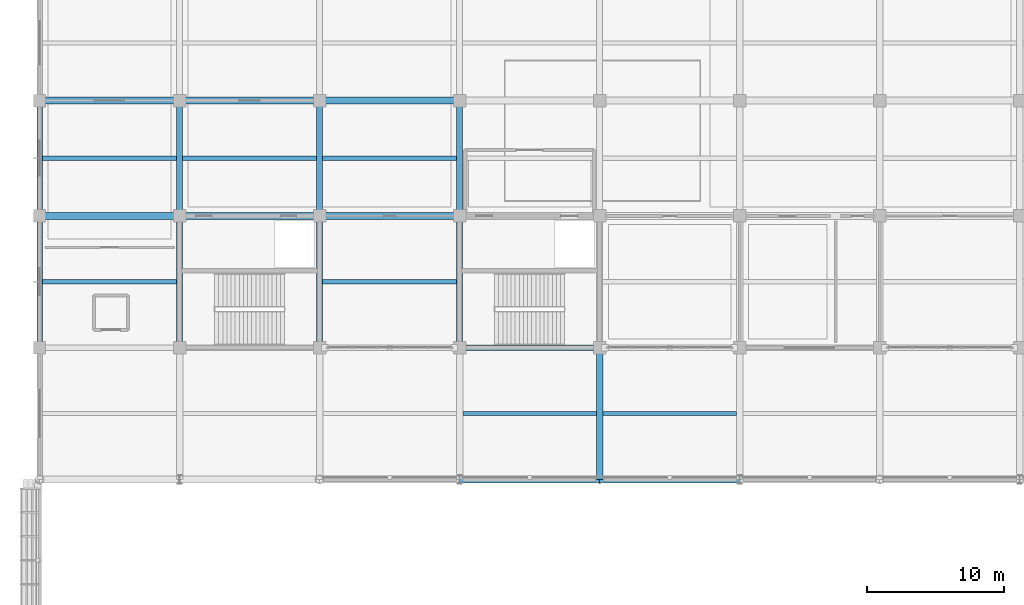
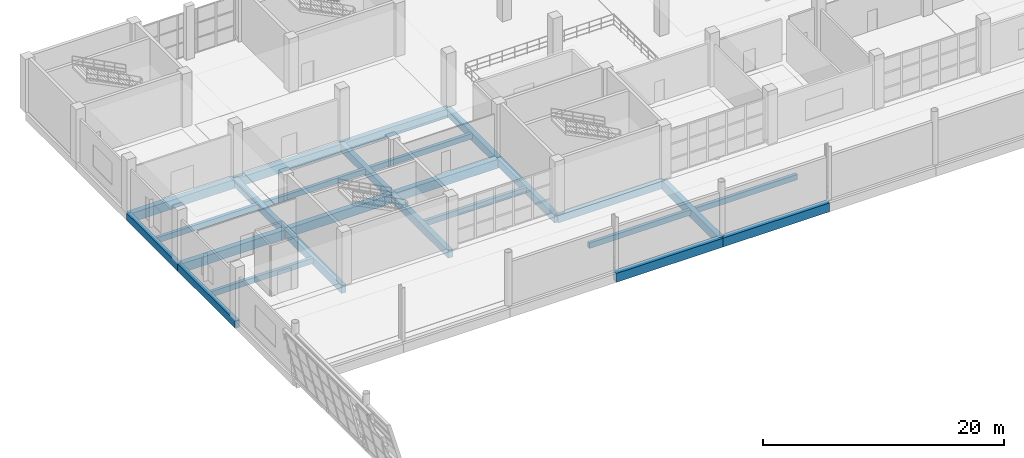
# One storey, part 35 of 175: 25 beams.
"""IFC4 building model written with IfcOpenShell, lengths in metres."""

from ifc_helpers import new_model, si_unit, direction, frame, origin, origin_2d, place, context, subcontext, project, spatial, rectangle, extrude, material, material_profile, profile_set, type_object, element, save


model = new_model("IFC4")

# Units and contexts
model_context = context("Model", 3, precision=1e-05, world=origin(), true_north=direction((0.0, 1.0)))
body_context = subcontext(model_context, "Body", "Model", "MODEL_VIEW")
ifc_project = project(units=[si_unit("LENGTHUNIT", "METRE"), si_unit("AREAUNIT", "SQUARE_METRE"), si_unit("VOLUMEUNIT", "CUBIC_METRE"), si_unit("PLANEANGLEUNIT", "RADIAN"), si_unit("MASSUNIT", "GRAM", prefix="KILO")], contexts=[model_context])

# Site, building, storey
site_placement = place(None, origin())
site = spatial("IfcSite", under=ifc_project, at=site_placement, CompositionType="ELEMENT")
building_placement = place(site_placement, origin())
building = spatial("IfcBuilding", under=site, at=building_placement, Name="Brelvane Convention Centre", CompositionType="ELEMENT")
storey_placement = place(building_placement, frame((0.0, 0.0, 5.39990234375)))
storey = spatial("IfcBuildingStorey", under=building, at=storey_placement, Name="L01", CompositionType="ELEMENT", Elevation=5.39990234375)

# Beams
ifc_material_1 = material(Name="Concrete M40", Category="concrete")
ifc_material_profile_1 = material_profile(ifc_material_1, rectangle(XDim=0.47998046875, YDim=0.8798828125, at=origin_2d()), Name="RC 480x880")
ifc_profile_set_1 = profile_set([ifc_material_profile_1], Name="Concrete M40")
beam_type_1 = type_object("IfcBeamType", Name="RC Beam B-RC10 (RC 480x880)", PredefinedType="BEAM", material=ifc_profile_set_1)
beam_1_placement = place(storey_placement, frame((40.800048828125, 99.60009765625, -0.760009765625), z_axis=(0.0, 1.0, 0.0), x_axis=(-1.0, 0.0, 0.0)))
element("IfcBeam", 1, at=beam_1_placement, inside=storey, type_object=beam_type_1, Name="L01 Girder 5/K-L", PredefinedType="BEAM", context=body_context, shape_type="SweptSolid", body=[
    extrude(rectangle(XDim=0.47998046875, YDim=0.8798828125, at=origin_2d()), origin(), (0.0, 0.0, 1.0), 9.599853515625),
])
ifc_material_2 = material(Name="Concrete M40", Category="concrete")
ifc_material_profile_2 = material_profile(ifc_material_2, rectangle(XDim=0.5, YDim=0.89990234375, at=origin_2d()), Name="RC 500x900")
ifc_profile_set_2 = profile_set([ifc_material_profile_2], Name="Concrete M40")
beam_type_2 = type_object("IfcBeamType", Name="RC Beam B-RC4 (RC 500x900)", PredefinedType="BEAM", material=ifc_profile_set_2)
for number, where, z_axis, x_axis, name in (
    (2, (0.0, 118.800048828125, -0.77001953125), (1.0, 0.0, 0.0), (0.0, 1.0, 0.0), "L01 Beam 1-2/M"),
    (3, (0.0, 127.199951171875, -0.77001953125), (1.0, 0.0, 0.0), (0.0, 1.0, 0.0), "L01 Beam 1-2/N"),
    (4, (10.199951171875, 118.800048828125, -0.77001953125), (1.0, 0.0, 0.0), (0.0, 1.0, 0.0), "L01 Beam 2-3/M"),
    (5, (10.199951171875, 127.199951171875, -0.77001953125), (1.0, 0.0, 0.0), (0.0, 1.0, 0.0), "L01 Beam 2-3/N"),
):
    element("IfcBeam", number, at=place(storey_placement, frame(where, z_axis=z_axis, x_axis=x_axis)), inside=storey, type_object=beam_type_2, Name=name, PredefinedType="BEAM", context=body_context, shape_type="SweptSolid", body=[
        extrude(rectangle(XDim=0.5, YDim=0.89990234375, at=origin_2d()), origin(), (0.0, 0.0, 1.0), 10.199951171875),
    ])
for number, where, z_axis, x_axis, name in (
    (6, (20.39990234375, 118.800048828125, -0.77001953125), (1.0, 0.0, 0.0), (0.0, 1.0, 0.0), "L01 Beam 3-4/M"),
    (7, (20.39990234375, 127.199951171875, -0.77001953125), (1.0, 0.0, 0.0), (0.0, 1.0, 0.0), "L01 Beam 3-4/N"),
):
    element("IfcBeam", number, at=place(storey_placement, frame(where, z_axis=z_axis, x_axis=x_axis)), inside=storey, type_object=beam_type_2, Name=name, PredefinedType="BEAM", context=body_context, shape_type="SweptSolid", body=[
        extrude(rectangle(XDim=0.5, YDim=0.89990234375, at=origin_2d()), origin(), (0.0, 0.0, 1.0), 10.2001953125),
    ])
for number, where, z_axis, x_axis, name in (
    (8, (30.60009765625, 99.60009765625, -0.77001953125), (1.0, 0.0, 0.0), (0.0, 1.0, 0.0), "L01 Beam 4-5/K"),
    (9, (40.800048828125, 99.60009765625, -0.77001953125), (1.0, 0.0, 0.0), (0.0, 1.0, 0.0), "L01 Beam 5-6/K"),
):
    element("IfcBeam", number, at=place(storey_placement, frame(where, z_axis=z_axis, x_axis=x_axis)), inside=storey, type_object=beam_type_2, Name=name, PredefinedType="BEAM", context=body_context, shape_type="SweptSolid", body=[
        extrude(rectangle(XDim=0.5, YDim=0.89990234375, at=origin_2d()), origin(), (0.0, 0.0, 1.0), 10.199951171875),
    ])
ifc_material_3 = material(Name="Concrete M40", Category="concrete")
ifc_material_profile_3 = material_profile(ifc_material_3, rectangle(XDim=0.449951171875, YDim=0.800048828125, at=origin_2d()), Name="RC 450x800")
ifc_profile_set_3 = profile_set([ifc_material_profile_3], Name="Concrete M40")
beam_type_3 = type_object("IfcBeamType", Name="RC Beam B-RC5 (RC 450x800)", PredefinedType="BEAM", material=ifc_profile_set_3)
beam_2_placement = place(storey_placement, frame((10.199951171875, 109.199951171875, -0.719970703125), z_axis=(0.0, 1.0, 0.0), x_axis=(-1.0, 0.0, 0.0)))
element("IfcBeam", 10, at=beam_2_placement, inside=storey, type_object=beam_type_3, Name="L01 Girder 2/L-M", PredefinedType="BEAM", context=body_context, shape_type="SweptSolid", body=[
    extrude(rectangle(XDim=0.449951171875, YDim=0.800048828125, at=origin_2d()), origin(), (0.0, 0.0, 1.0), 9.60009765625),
])
beam_3_placement = place(storey_placement, frame((10.199951171875, 118.800048828125, -0.719970703125), z_axis=(0.0, 1.0, 0.0), x_axis=(-1.0, 0.0, 0.0)))
element("IfcBeam", 11, at=beam_3_placement, inside=storey, type_object=beam_type_3, Name="L01 Girder 2/M-N", PredefinedType="BEAM", context=body_context, shape_type="SweptSolid", body=[
    extrude(rectangle(XDim=0.449951171875, YDim=0.800048828125, at=origin_2d()), origin(), (0.0, 0.0, 1.0), 8.39990234375),
])
beam_4_placement = place(storey_placement, frame((20.39990234375, 109.199951171875, -0.719970703125), z_axis=(0.0, 1.0, 0.0), x_axis=(-1.0, 0.0, 0.0)))
element("IfcBeam", 12, at=beam_4_placement, inside=storey, type_object=beam_type_3, Name="L01 Girder 3/L-M", PredefinedType="BEAM", context=body_context, shape_type="SweptSolid", body=[
    extrude(rectangle(XDim=0.449951171875, YDim=0.800048828125, at=origin_2d()), origin(), (0.0, 0.0, 1.0), 9.60009765625),
])
beam_5_placement = place(storey_placement, frame((20.39990234375, 118.800048828125, -0.719970703125), z_axis=(0.0, 1.0, 0.0), x_axis=(-1.0, 0.0, 0.0)))
element("IfcBeam", 13, at=beam_5_placement, inside=storey, type_object=beam_type_3, Name="L01 Girder 3/M-N", PredefinedType="BEAM", context=body_context, shape_type="SweptSolid", body=[
    extrude(rectangle(XDim=0.449951171875, YDim=0.800048828125, at=origin_2d()), origin(), (0.0, 0.0, 1.0), 8.39990234375),
])
beam_6_placement = place(storey_placement, frame((30.60009765625, 109.199951171875, -0.719970703125), z_axis=(0.0, 1.0, 0.0), x_axis=(-1.0, 0.0, 0.0)))
element("IfcBeam", 14, at=beam_6_placement, inside=storey, type_object=beam_type_3, Name="L01 Girder 4/L-M", PredefinedType="BEAM", context=body_context, shape_type="SweptSolid", body=[
    extrude(rectangle(XDim=0.449951171875, YDim=0.800048828125, at=origin_2d()), origin(), (0.0, 0.0, 1.0), 9.60009765625),
])
beam_7_placement = place(storey_placement, frame((30.60009765625, 118.800048828125, -0.719970703125), z_axis=(0.0, 1.0, 0.0), x_axis=(-1.0, 0.0, 0.0)))
element("IfcBeam", 15, at=beam_7_placement, inside=storey, type_object=beam_type_3, Name="L01 Girder 4/M-N", PredefinedType="BEAM", context=body_context, shape_type="SweptSolid", body=[
    extrude(rectangle(XDim=0.449951171875, YDim=0.800048828125, at=origin_2d()), origin(), (0.0, 0.0, 1.0), 8.39990234375),
])
ifc_material_4 = material(Name="Concrete M40", Category="concrete")
ifc_material_profile_4 = material_profile(ifc_material_4, rectangle(XDim=0.300048828125, YDim=0.550048828125, at=origin_2d()), Name="RC 300x550")
ifc_profile_set_4 = profile_set([ifc_material_profile_4], Name="Concrete M40")
beam_type_4 = type_object("IfcBeamType", Name="RC Joist J-RC1 (RC 300x550)", PredefinedType="JOIST", material=ifc_profile_set_4)
for number, where, z_axis, x_axis, name in (
    (16, (0.199951171875, 114.0, -0.594970703125), (1.0, 0.0, 0.0), (0.0, 1.0, 0.0), "L01 Secondary Joist 1-2/LM"),
    (17, (0.199951171875, 123.0, -0.594970703125), (1.0, 0.0, 0.0), (0.0, 1.0, 0.0), "L01 Secondary Joist 1-2/MN"),
):
    element("IfcBeam", number, at=place(storey_placement, frame(where, z_axis=z_axis, x_axis=x_axis)), inside=storey, type_object=beam_type_4, Name=name, PredefinedType="JOIST", context=body_context, shape_type="SweptSolid", body=[
        extrude(rectangle(XDim=0.300048828125, YDim=0.550048828125, at=origin_2d()), origin(), (0.0, 0.0, 1.0), 9.775146484375),
    ])
for number, where, z_axis, x_axis, name in (
    (18, (10.425048828125, 123.0, -0.594970703125), (1.0, 0.0, 0.0), (0.0, 1.0, 0.0), "L01 Secondary Joist 2-3/MN"),
    (19, (20.625, 114.0, -0.594970703125), (1.0, 0.0, 0.0), (0.0, 1.0, 0.0), "L01 Secondary Joist 3-4/LM"),
    (20, (20.625, 123.0, -0.594970703125), (1.0, 0.0, 0.0), (0.0, 1.0, 0.0), "L01 Secondary Joist 3-4/MN"),
):
    element("IfcBeam", number, at=place(storey_placement, frame(where, z_axis=z_axis, x_axis=x_axis)), inside=storey, type_object=beam_type_4, Name=name, PredefinedType="JOIST", context=body_context, shape_type="SweptSolid", body=[
        extrude(rectangle(XDim=0.300048828125, YDim=0.550048828125, at=origin_2d()), origin(), (0.0, 0.0, 1.0), 9.75),
    ])
for number, where, z_axis, x_axis, name in (
    (21, (30.840087890625, 104.39990234375, -0.594970703125), (1.0, 0.0, 0.0), (0.0, 1.0, 0.0), "L01 Secondary Joist 4-5/KL"),
    (22, (41.0400390625, 104.39990234375, -0.594970703125), (1.0, 0.0, 0.0), (0.0, 1.0, 0.0), "L01 Secondary Joist 5-6/KL"),
):
    element("IfcBeam", number, at=place(storey_placement, frame(where, z_axis=z_axis, x_axis=x_axis)), inside=storey, type_object=beam_type_4, Name=name, PredefinedType="JOIST", context=body_context, shape_type="SweptSolid", body=[
        extrude(rectangle(XDim=0.300048828125, YDim=0.550048828125, at=origin_2d()), origin(), (0.0, 0.0, 1.0), 9.719970703125),
    ])
ifc_material_5 = material(Name="Concrete M40", Category="concrete")
ifc_material_profile_5 = material_profile(ifc_material_5, rectangle(XDim=0.39990234375, YDim=0.75, at=origin_2d()), Name="RC 400x750")
ifc_profile_set_5 = profile_set([ifc_material_profile_5], Name="Concrete M40")
beam_type_5 = type_object("IfcBeamType", Name="RC Spandrel SP-RC1 (RC 400x750)", PredefinedType="SPANDREL", material=ifc_profile_set_5)
beam_8_placement = place(storey_placement, frame((30.60009765625, 109.199951171875, -0.69482421875), z_axis=(1.0, 0.0, 0.0), x_axis=(0.0, 1.0, 0.0)))
element("IfcBeam", 23, at=beam_8_placement, inside=storey, type_object=beam_type_5, Name="L01 Beam 4-5/L", PredefinedType="SPANDREL", context=body_context, shape_type="SweptSolid", body=[
    extrude(rectangle(XDim=0.39990234375, YDim=0.75, at=origin_2d()), origin(), (0.0, 0.0, 1.0), 10.199951171875),
])
beam_9_placement = place(storey_placement, frame((0.0, 109.199951171875, -0.69482421875), z_axis=(0.0, 1.0, 0.0), x_axis=(-1.0, 0.0, 0.0)))
element("IfcBeam", 24, at=beam_9_placement, inside=storey, type_object=beam_type_5, Name="L01 Girder 1/L-M", PredefinedType="SPANDREL", context=body_context, shape_type="SweptSolid", body=[
    extrude(rectangle(XDim=0.39990234375, YDim=0.75, at=origin_2d()), origin(), (0.0, 0.0, 1.0), 9.60009765625),
])
beam_10_placement = place(storey_placement, frame((0.0, 118.800048828125, -0.69482421875), z_axis=(0.0, 1.0, 0.0), x_axis=(-1.0, 0.0, 0.0)))
element("IfcBeam", 25, at=beam_10_placement, inside=storey, type_object=beam_type_5, Name="L01 Girder 1/M-N", PredefinedType="SPANDREL", context=body_context, shape_type="SweptSolid", body=[
    extrude(rectangle(XDim=0.39990234375, YDim=0.75, at=origin_2d()), origin(), (0.0, 0.0, 1.0), 8.39990234375),
])

save(model, "model.ifc")
